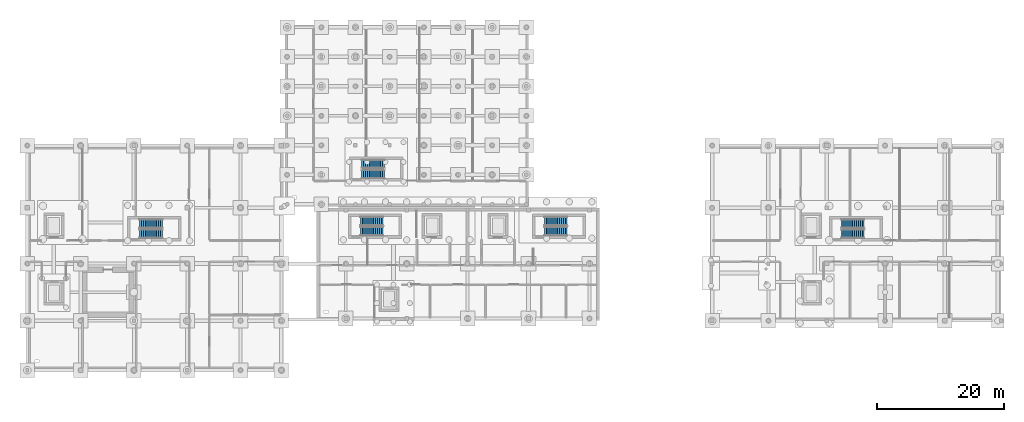
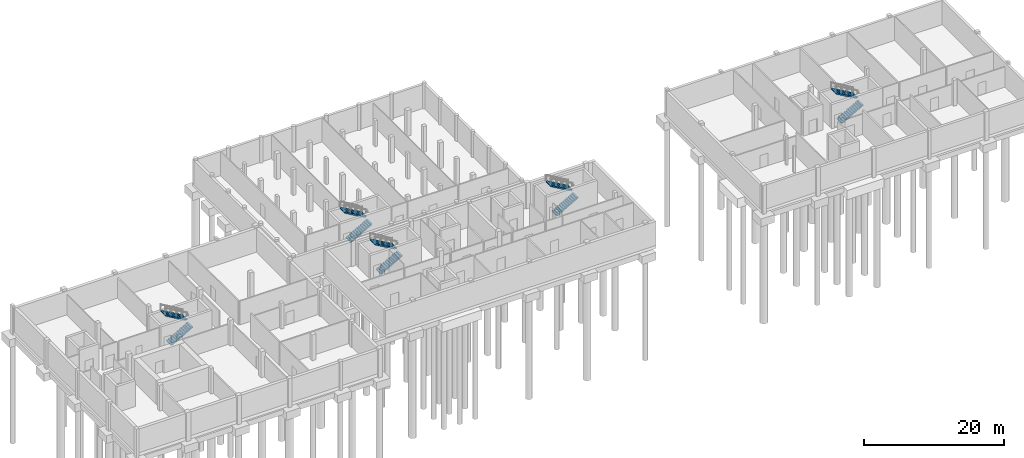
# One storey, part 10 of 14: 10 stair flights, 5 elements without a shape of their own.
"""IFC4 building model written with IfcOpenShell, lengths in metres."""

from ifc_helpers import new_model, si_unit, direction, frame, origin, place, context, subcontext, project, spatial, polyline, outline, extrude, material, type_object, element, aggregate, save


model = new_model("IFC4")

# Units and contexts
model_context = context("Model", 3, precision=1e-05, world=origin(), true_north=direction((0.0, 1.0)))
body_context = subcontext(model_context, "Body", "Model", "MODEL_VIEW")
ifc_project = project(units=[si_unit("LENGTHUNIT", "METRE"), si_unit("AREAUNIT", "SQUARE_METRE"), si_unit("VOLUMEUNIT", "CUBIC_METRE"), si_unit("PLANEANGLEUNIT", "RADIAN"), si_unit("MASSUNIT", "GRAM", prefix="KILO")], contexts=[model_context])

# Site, building, storey
site_placement = place(None, origin())
site = spatial("IfcSite", under=ifc_project, at=site_placement, CompositionType="ELEMENT")
building_placement = place(site_placement, origin())
building = spatial("IfcBuilding", under=site, at=building_placement, Name="Birchvale Park Specialist Clinic", CompositionType="ELEMENT")
storey_placement = place(building_placement, frame((0.0, 0.0, -4.5)))
storey = spatial("IfcBuildingStorey", under=building, at=storey_placement, Name="B1", CompositionType="ELEMENT", Elevation=-4.5)

# Stair, stair flights
ifc_material = material(Name="Concrete C35/45", Category="concrete")
stair_type = type_object("IfcStairType", Name="ST-H45", PredefinedType="HALF_TURN_STAIR", material=ifc_material)
stair_1_placement = place(storey_placement, origin())
stair_1 = element("IfcStair", 1, at=stair_1_placement, inside=storey, type_object=stair_type, Name="B1 Protected exit stair ST1", PredefinedType="HALF_TURN_STAIR")
stair_flight_type = type_object("IfcStairFlightType", Name="FLT-ST-H45", PredefinedType="STRAIGHT", material=ifc_material)
stair_flight_1_placement = place(storey_placement, frame((63.89990234375, 39.89990234375, 0.0), z_axis=(0.0, 0.0, 1.0), x_axis=(1.0, 0.0, 0.0)))
stair_flight_1 = element("IfcStairFlight", 2, at=stair_flight_1_placement, type_object=stair_flight_type, Name="ST1 flight 1", NumberOfRisers=13, NumberOfTreads=12, PredefinedType="STRAIGHT", RiserHeight=0.173076923, TreadLength=0.3, context=body_context, shape_type="SweptSolid", body=[
    extrude(outline(polyline([(0.0, 0.0), (0.0, 0.173095703125), (0.300048828125, 0.173095703125), (0.300048828125, 0.34619140625), (0.60009765625, 0.34619140625), (0.60009765625, 0.519287109375), (0.89990234375, 0.519287109375), (0.89990234375, 0.6923828125), (1.199951171875, 0.6923828125), (1.199951171875, 0.865478515625), (1.5, 0.865478515625), (1.5, 1.03857421875), (1.800048828125, 1.03857421875), (1.800048828125, 1.21142578125), (2.10009765625, 1.21142578125), (2.10009765625, 1.384521484375), (2.39990234375, 1.384521484375), (2.39990234375, 1.5576171875), (2.699951171875, 1.5576171875), (2.699951171875, 1.730712890625), (3.0, 1.730712890625), (3.0, 1.90380859375), (3.300048828125, 1.90380859375), (3.300048828125, 2.076904296875), (3.60009765625, 2.076904296875), (3.60009765625, 2.25), (3.60009765625, 1.892333984375), (0.320068359375, 0.0), (0.0, 0.0)])), frame((0.0, 0.699951171875, 0.0), z_axis=(0.0, -1.0, 0.0), x_axis=(1.0, 0.0, 0.0)), (0.0, 0.0, 1.0), 1.39990234375),
])
stair_flight_2_placement = place(storey_placement, frame((67.5, 41.5, 2.25), z_axis=(0.0, 0.0, 1.0), x_axis=(-1.0, 0.0, 0.0)))
stair_flight_2 = element("IfcStairFlight", 3, at=stair_flight_2_placement, type_object=stair_flight_type, Name="ST1 flight 2", NumberOfRisers=13, NumberOfTreads=12, PredefinedType="STRAIGHT", RiserHeight=0.173076923, TreadLength=0.3, context=body_context, shape_type="SweptSolid", body=[
    extrude(outline(polyline([(0.0, 0.0), (0.0, 0.173095703125), (0.300048828125, 0.173095703125), (0.300048828125, 0.34619140625), (0.60009765625, 0.34619140625), (0.60009765625, 0.519287109375), (0.89990234375, 0.519287109375), (0.89990234375, 0.6923828125), (1.199951171875, 0.6923828125), (1.199951171875, 0.865478515625), (1.5, 0.865478515625), (1.5, 1.03857421875), (1.800048828125, 1.03857421875), (1.800048828125, 1.21142578125), (2.10009765625, 1.21142578125), (2.10009765625, 1.384521484375), (2.39990234375, 1.384521484375), (2.39990234375, 1.5576171875), (2.699951171875, 1.5576171875), (2.699951171875, 1.730712890625), (3.0, 1.730712890625), (3.0, 1.90380859375), (3.300048828125, 1.90380859375), (3.300048828125, 2.076904296875), (3.60009765625, 2.076904296875), (3.60009765625, 2.25), (3.60009765625, 1.892333984375), (0.320068359375, 0.0), (0.0, 0.0)])), frame((0.0, 0.699951171875, 0.0), z_axis=(0.0, -1.0, 0.0), x_axis=(1.0, 0.0, 0.0)), (0.0, 0.0, 1.0), 1.39990234375),
])
aggregate(stair_1, [stair_flight_1, stair_flight_2])

stair_2_placement = place(storey_placement, origin())
stair_2 = element("IfcStair", 4, at=stair_2_placement, inside=storey, type_object=stair_type, Name="B1 Protected exit stair ST2", PredefinedType="HALF_TURN_STAIR")
stair_flight_3_placement = place(storey_placement, frame((28.89990234375, 30.5, 0.0), z_axis=(0.0, 0.0, 1.0), x_axis=(1.0, 0.0, 0.0)))
stair_flight_3 = element("IfcStairFlight", 5, at=stair_flight_3_placement, type_object=stair_flight_type, Name="ST2 flight 1", NumberOfRisers=13, NumberOfTreads=12, PredefinedType="STRAIGHT", RiserHeight=0.173076923, TreadLength=0.3, context=body_context, shape_type="SweptSolid", body=[
    extrude(outline(polyline([(0.0, 0.0), (0.0, 0.173095703125), (0.300048828125, 0.173095703125), (0.300048828125, 0.34619140625), (0.60009765625, 0.34619140625), (0.60009765625, 0.519287109375), (0.89990234375, 0.519287109375), (0.89990234375, 0.6923828125), (1.199951171875, 0.6923828125), (1.199951171875, 0.865478515625), (1.5, 0.865478515625), (1.5, 1.03857421875), (1.800048828125, 1.03857421875), (1.800048828125, 1.21142578125), (2.10009765625, 1.21142578125), (2.10009765625, 1.384521484375), (2.39990234375, 1.384521484375), (2.39990234375, 1.5576171875), (2.699951171875, 1.5576171875), (2.699951171875, 1.730712890625), (3.0, 1.730712890625), (3.0, 1.90380859375), (3.300048828125, 1.90380859375), (3.300048828125, 2.076904296875), (3.60009765625, 2.076904296875), (3.60009765625, 2.25), (3.60009765625, 1.892333984375), (0.320068359375, 0.0), (0.0, 0.0)])), frame((0.0, 0.699951171875, 0.0), z_axis=(0.0, -1.0, 0.0), x_axis=(1.0, 0.0, 0.0)), (0.0, 0.0, 1.0), 1.39990234375),
])
stair_flight_4_placement = place(storey_placement, frame((32.5, 32.10009765625, 2.25), z_axis=(0.0, 0.0, 1.0), x_axis=(-1.0, 0.0, 0.0)))
stair_flight_4 = element("IfcStairFlight", 6, at=stair_flight_4_placement, type_object=stair_flight_type, Name="ST2 flight 2", NumberOfRisers=13, NumberOfTreads=12, PredefinedType="STRAIGHT", RiserHeight=0.173076923, TreadLength=0.3, context=body_context, shape_type="SweptSolid", body=[
    extrude(outline(polyline([(0.0, 0.0), (0.0, 0.173095703125), (0.300048828125, 0.173095703125), (0.300048828125, 0.34619140625), (0.60009765625, 0.34619140625), (0.60009765625, 0.519287109375), (0.89990234375, 0.519287109375), (0.89990234375, 0.6923828125), (1.199951171875, 0.6923828125), (1.199951171875, 0.865478515625), (1.5, 0.865478515625), (1.5, 1.03857421875), (1.800048828125, 1.03857421875), (1.800048828125, 1.21142578125), (2.10009765625, 1.21142578125), (2.10009765625, 1.384521484375), (2.39990234375, 1.384521484375), (2.39990234375, 1.5576171875), (2.699951171875, 1.5576171875), (2.699951171875, 1.730712890625), (3.0, 1.730712890625), (3.0, 1.90380859375), (3.300048828125, 1.90380859375), (3.300048828125, 2.076904296875), (3.60009765625, 2.076904296875), (3.60009765625, 2.25), (3.60009765625, 1.892333984375), (0.320068359375, 0.0), (0.0, 0.0)])), frame((0.0, 0.699951171875, 0.0), z_axis=(0.0, -1.0, 0.0), x_axis=(1.0, 0.0, 0.0)), (0.0, 0.0, 1.0), 1.39990234375),
])
aggregate(stair_2, [stair_flight_3, stair_flight_4])

stair_3_placement = place(storey_placement, origin())
stair_3 = element("IfcStair", 7, at=stair_3_placement, inside=storey, type_object=stair_type, Name="B1 Protected exit stair ST4", PredefinedType="HALF_TURN_STAIR")
stair_flight_5_placement = place(storey_placement, frame((63.699951171875, 30.89990234375, 0.0), z_axis=(0.0, 0.0, 1.0), x_axis=(1.0, 0.0, 0.0)))
stair_flight_5 = element("IfcStairFlight", 8, at=stair_flight_5_placement, type_object=stair_flight_type, Name="ST4 flight 1", NumberOfRisers=13, NumberOfTreads=12, PredefinedType="STRAIGHT", RiserHeight=0.173076923, TreadLength=0.3, context=body_context, shape_type="SweptSolid", body=[
    extrude(outline(polyline([(0.0, 0.0), (0.0, 0.173095703125), (0.300048828125, 0.173095703125), (0.300048828125, 0.34619140625), (0.60009765625, 0.34619140625), (0.60009765625, 0.519287109375), (0.89990234375, 0.519287109375), (0.89990234375, 0.6923828125), (1.199951171875, 0.6923828125), (1.199951171875, 0.865478515625), (1.5, 0.865478515625), (1.5, 1.03857421875), (1.800048828125, 1.03857421875), (1.800048828125, 1.21142578125), (2.10009765625, 1.21142578125), (2.10009765625, 1.384521484375), (2.39990234375, 1.384521484375), (2.39990234375, 1.5576171875), (2.699951171875, 1.5576171875), (2.699951171875, 1.730712890625), (3.0, 1.730712890625), (3.0, 1.90380859375), (3.300048828125, 1.90380859375), (3.300048828125, 2.076904296875), (3.60009765625, 2.076904296875), (3.60009765625, 2.25), (3.60009765625, 1.892333984375), (0.320068359375, 0.0), (0.0, 0.0)])), frame((0.0, 0.699951171875, 0.0), z_axis=(0.0, -1.0, 0.0), x_axis=(1.0, 0.0, 0.0)), (0.0, 0.0, 1.0), 1.39990234375),
])
stair_flight_6_placement = place(storey_placement, frame((67.300048828125, 32.5, 2.25), z_axis=(0.0, 0.0, 1.0), x_axis=(-1.0, 0.0, 0.0)))
stair_flight_6 = element("IfcStairFlight", 9, at=stair_flight_6_placement, type_object=stair_flight_type, Name="ST4 flight 2", NumberOfRisers=13, NumberOfTreads=12, PredefinedType="STRAIGHT", RiserHeight=0.173076923, TreadLength=0.3, context=body_context, shape_type="SweptSolid", body=[
    extrude(outline(polyline([(0.0, 0.0), (0.0, 0.173095703125), (0.300048828125, 0.173095703125), (0.300048828125, 0.34619140625), (0.60009765625, 0.34619140625), (0.60009765625, 0.519287109375), (0.89990234375, 0.519287109375), (0.89990234375, 0.6923828125), (1.199951171875, 0.6923828125), (1.199951171875, 0.865478515625), (1.5, 0.865478515625), (1.5, 1.03857421875), (1.800048828125, 1.03857421875), (1.800048828125, 1.21142578125), (2.10009765625, 1.21142578125), (2.10009765625, 1.384521484375), (2.39990234375, 1.384521484375), (2.39990234375, 1.5576171875), (2.699951171875, 1.5576171875), (2.699951171875, 1.730712890625), (3.0, 1.730712890625), (3.0, 1.90380859375), (3.300048828125, 1.90380859375), (3.300048828125, 2.076904296875), (3.60009765625, 2.076904296875), (3.60009765625, 2.25), (3.60009765625, 1.892333984375), (0.320068359375, 0.0), (0.0, 0.0)])), frame((0.0, 0.699951171875, 0.0), z_axis=(0.0, -1.0, 0.0), x_axis=(1.0, 0.0, 0.0)), (0.0, 0.0, 1.0), 1.39990234375),
])
aggregate(stair_3, [stair_flight_5, stair_flight_6])

stair_4_placement = place(storey_placement, origin())
stair_4 = element("IfcStair", 10, at=stair_4_placement, inside=storey, type_object=stair_type, Name="B1 Protected exit stair ST5", PredefinedType="HALF_TURN_STAIR")
stair_flight_7_placement = place(storey_placement, frame((92.699951171875, 30.89990234375, 0.0), z_axis=(0.0, 0.0, 1.0), x_axis=(1.0, 0.0, 0.0)))
stair_flight_7 = element("IfcStairFlight", 11, at=stair_flight_7_placement, type_object=stair_flight_type, Name="ST5 flight 1", NumberOfRisers=13, NumberOfTreads=12, PredefinedType="STRAIGHT", RiserHeight=0.173076923, TreadLength=0.3, context=body_context, shape_type="SweptSolid", body=[
    extrude(outline(polyline([(0.0, 0.0), (0.0, 0.173095703125), (0.300048828125, 0.173095703125), (0.300048828125, 0.34619140625), (0.60009765625, 0.34619140625), (0.60009765625, 0.519287109375), (0.89990234375, 0.519287109375), (0.89990234375, 0.6923828125), (1.199951171875, 0.6923828125), (1.199951171875, 0.865478515625), (1.5, 0.865478515625), (1.5, 1.03857421875), (1.800048828125, 1.03857421875), (1.800048828125, 1.21142578125), (2.10009765625, 1.21142578125), (2.10009765625, 1.384521484375), (2.39990234375, 1.384521484375), (2.39990234375, 1.5576171875), (2.699951171875, 1.5576171875), (2.699951171875, 1.730712890625), (3.0, 1.730712890625), (3.0, 1.90380859375), (3.300048828125, 1.90380859375), (3.300048828125, 2.076904296875), (3.60009765625, 2.076904296875), (3.60009765625, 2.25), (3.60009765625, 1.892333984375), (0.320068359375, 0.0), (0.0, 0.0)])), frame((0.0, 0.699951171875, 0.0), z_axis=(0.0, -1.0, 0.0), x_axis=(1.0, 0.0, 0.0)), (0.0, 0.0, 1.0), 1.39990234375),
])
stair_flight_8_placement = place(storey_placement, frame((96.300048828125, 32.5, 2.25), z_axis=(0.0, 0.0, 1.0), x_axis=(-1.0, 0.0, 0.0)))
stair_flight_8 = element("IfcStairFlight", 12, at=stair_flight_8_placement, type_object=stair_flight_type, Name="ST5 flight 2", NumberOfRisers=13, NumberOfTreads=12, PredefinedType="STRAIGHT", RiserHeight=0.173076923, TreadLength=0.3, context=body_context, shape_type="SweptSolid", body=[
    extrude(outline(polyline([(0.0, 0.0), (0.0, 0.173095703125), (0.300048828125, 0.173095703125), (0.300048828125, 0.34619140625), (0.60009765625, 0.34619140625), (0.60009765625, 0.519287109375), (0.89990234375, 0.519287109375), (0.89990234375, 0.6923828125), (1.199951171875, 0.6923828125), (1.199951171875, 0.865478515625), (1.5, 0.865478515625), (1.5, 1.03857421875), (1.800048828125, 1.03857421875), (1.800048828125, 1.21142578125), (2.10009765625, 1.21142578125), (2.10009765625, 1.384521484375), (2.39990234375, 1.384521484375), (2.39990234375, 1.5576171875), (2.699951171875, 1.5576171875), (2.699951171875, 1.730712890625), (3.0, 1.730712890625), (3.0, 1.90380859375), (3.300048828125, 1.90380859375), (3.300048828125, 2.076904296875), (3.60009765625, 2.076904296875), (3.60009765625, 2.25), (3.60009765625, 1.892333984375), (0.320068359375, 0.0), (0.0, 0.0)])), frame((0.0, 0.699951171875, 0.0), z_axis=(0.0, -1.0, 0.0), x_axis=(1.0, 0.0, 0.0)), (0.0, 0.0, 1.0), 1.39990234375),
])
aggregate(stair_4, [stair_flight_7, stair_flight_8])

stair_5_placement = place(storey_placement, origin())
stair_5 = element("IfcStair", 13, at=stair_5_placement, inside=storey, type_object=stair_type, Name="B1 Protected exit stair ST6", PredefinedType="HALF_TURN_STAIR")
stair_flight_9_placement = place(storey_placement, frame((139.5, 30.5, 0.0), z_axis=(0.0, 0.0, 1.0), x_axis=(1.0, 0.0, 0.0)))
stair_flight_9 = element("IfcStairFlight", 14, at=stair_flight_9_placement, type_object=stair_flight_type, Name="ST6 flight 1", NumberOfRisers=13, NumberOfTreads=12, PredefinedType="STRAIGHT", RiserHeight=0.173076923, TreadLength=0.3, context=body_context, shape_type="SweptSolid", body=[
    extrude(outline(polyline([(0.0, 0.0), (0.0, 0.173095703125), (0.300048828125, 0.173095703125), (0.300048828125, 0.34619140625), (0.60009765625, 0.34619140625), (0.60009765625, 0.519287109375), (0.89990234375, 0.519287109375), (0.89990234375, 0.6923828125), (1.199951171875, 0.6923828125), (1.199951171875, 0.865478515625), (1.5, 0.865478515625), (1.5, 1.03857421875), (1.800048828125, 1.03857421875), (1.800048828125, 1.21142578125), (2.10009765625, 1.21142578125), (2.10009765625, 1.384521484375), (2.39990234375, 1.384521484375), (2.39990234375, 1.5576171875), (2.699951171875, 1.5576171875), (2.699951171875, 1.730712890625), (3.0, 1.730712890625), (3.0, 1.90380859375), (3.300048828125, 1.90380859375), (3.300048828125, 2.076904296875), (3.60009765625, 2.076904296875), (3.60009765625, 2.25), (3.60009765625, 1.892333984375), (0.320068359375, 0.0), (0.0, 0.0)])), frame((0.0, 0.699951171875, 0.0), z_axis=(0.0, -1.0, 0.0), x_axis=(1.0, 0.0, 0.0)), (0.0, 0.0, 1.0), 1.39990234375),
])
stair_flight_10_placement = place(storey_placement, frame((143.10009765625, 32.10009765625, 2.25), z_axis=(0.0, 0.0, 1.0), x_axis=(-1.0, 0.0, 0.0)))
stair_flight_10 = element("IfcStairFlight", 15, at=stair_flight_10_placement, type_object=stair_flight_type, Name="ST6 flight 2", NumberOfRisers=13, NumberOfTreads=12, PredefinedType="STRAIGHT", RiserHeight=0.173076923, TreadLength=0.3, context=body_context, shape_type="SweptSolid", body=[
    extrude(outline(polyline([(0.0, 0.0), (0.0, 0.173095703125), (0.300048828125, 0.173095703125), (0.300048828125, 0.34619140625), (0.60009765625, 0.34619140625), (0.60009765625, 0.519287109375), (0.89990234375, 0.519287109375), (0.89990234375, 0.6923828125), (1.199951171875, 0.6923828125), (1.199951171875, 0.865478515625), (1.5, 0.865478515625), (1.5, 1.03857421875), (1.800048828125, 1.03857421875), (1.800048828125, 1.21142578125), (2.10009765625, 1.21142578125), (2.10009765625, 1.384521484375), (2.39990234375, 1.384521484375), (2.39990234375, 1.5576171875), (2.699951171875, 1.5576171875), (2.699951171875, 1.730712890625), (3.0, 1.730712890625), (3.0, 1.90380859375), (3.300048828125, 1.90380859375), (3.300048828125, 2.076904296875), (3.60009765625, 2.076904296875), (3.60009765625, 2.25), (3.60009765625, 1.892333984375), (0.320068359375, 0.0), (0.0, 0.0)])), frame((0.0, 0.699951171875, 0.0), z_axis=(0.0, -1.0, 0.0), x_axis=(1.0, 0.0, 0.0)), (0.0, 0.0, 1.0), 1.39990234375),
])
aggregate(stair_5, [stair_flight_9, stair_flight_10])

save(model, "model.ifc")
